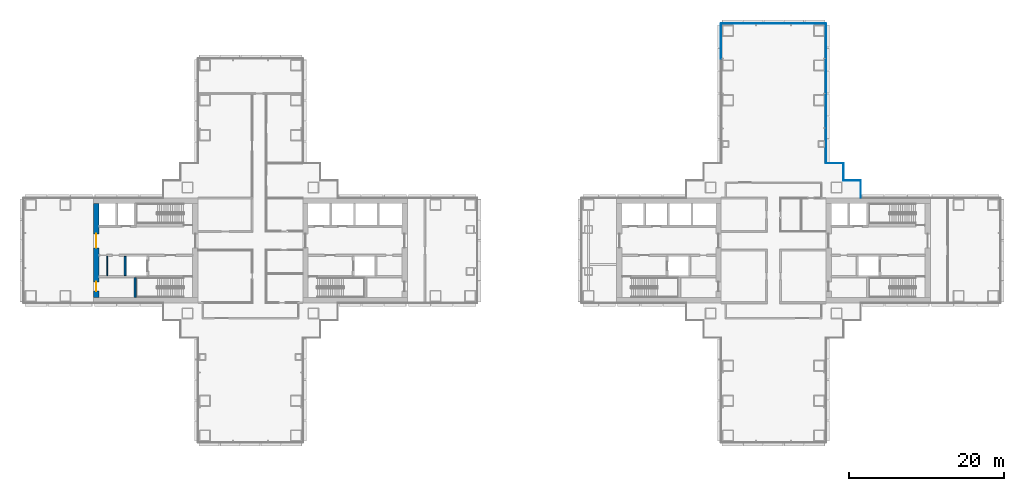
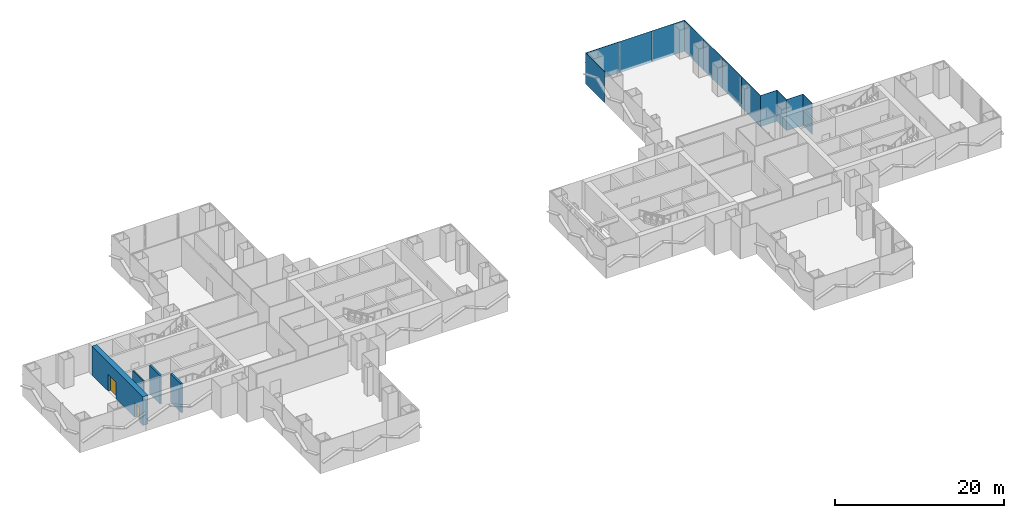
# One storey, part 13 of 22: 12 plates, 4 walls, 2 doors, 2 openings, 4 elements without a shape of their own.
"""IFC4 building model written with IfcOpenShell, lengths in metres."""

from ifc_helpers import new_model, si_unit, direction, frame, frame_2d, origin, origin_2d, place, context, subcontext, project, spatial, rectangle, extrude, material, layer, layer_set, type_object, element, fill, aggregate, save


model = new_model("IFC4")

# Units and contexts
model_context = context("Model", 3, precision=1e-05, world=origin(), true_north=direction((0.0, 1.0)))
body_context = subcontext(model_context, "Body", "Model", "MODEL_VIEW")
ifc_project = project(units=[si_unit("LENGTHUNIT", "METRE"), si_unit("AREAUNIT", "SQUARE_METRE"), si_unit("VOLUMEUNIT", "CUBIC_METRE"), si_unit("PLANEANGLEUNIT", "RADIAN"), si_unit("MASSUNIT", "GRAM", prefix="KILO")], contexts=[model_context])

# Site, building, storey
site_placement = place(None, origin())
site = spatial("IfcSite", under=ifc_project, at=site_placement, CompositionType="ELEMENT")
building_placement = place(site_placement, origin())
building = spatial("IfcBuilding", under=site, at=building_placement, Name="Shamsa Quay Exchange Towers", CompositionType="ELEMENT")
storey_placement = place(building_placement, frame((0.0, 0.0, 37.5)))
storey = spatial("IfcBuildingStorey", under=building, at=storey_placement, Name="L07", CompositionType="ELEMENT", Elevation=37.5)

# Curtain wall, plates
ifc_material_1 = material(Name="Aluminium EN AW-6063 T6, black anodised", Category="aluminium")
ifc_layer_1 = layer(ifc_material_1, 0.280029296875)
ifc_layer_set_1 = layer_set([ifc_layer_1], Name="CW-1 UNITISED VISION GLASS")
curtain_wall_type_1 = type_object("IfcCurtainWallType", Name="CW-1 UNITISED VISION GLASS", PredefinedType="NOTDEFINED", material=ifc_layer_set_1)
curtain_wall_1_placement = place(storey_placement, origin())
curtain_wall_1 = element("IfcCurtainWall", 1, at=curtain_wall_1_placement, inside=storey, type_object=curtain_wall_type_1, Name="CW1 T2-FLK-U+S L07", PredefinedType="NOTDEFINED")
ifc_material_2 = material(Name="Glass, laminated, dark tinted", Category="glass")
ifc_layer_2 = layer(ifc_material_2, 0.0400390625)
ifc_layer_set_2 = layer_set([ifc_layer_2], Name="CW-1 VISION GLASS 40")
plate_type_1 = type_object("IfcPlateType", Name="CW-1 VISION GLASS 40", PredefinedType="CURTAIN_PANEL", material=ifc_layer_set_2)
plate_1_placement = place(storey_placement, frame((40.52001953125, 13.53076171875, -0.35009765625), z_axis=(0.0, 0.0, 1.0), x_axis=(0.0, 1.0, 0.0)))
plate_1 = element("IfcPlate", 2, at=plate_1_placement, type_object=plate_type_1, Name="CW1 glass panel", PredefinedType="CURTAIN_PANEL", context=body_context, shape_type="SweptSolid", body=[
    extrude(rectangle(XDim=4.485595703125, YDim=0.0400390625, at=origin_2d()), origin(), (0.0, 0.0, 1.0), 4.5),
])
plate_2_placement = place(storey_placement, frame((40.52001953125, 18.023681640625, -0.35009765625), z_axis=(0.0, 0.0, 1.0), x_axis=(0.0, 1.0, 0.0)))
plate_2 = element("IfcPlate", 3, at=plate_2_placement, type_object=plate_type_1, Name="CW1 glass panel", PredefinedType="CURTAIN_PANEL", context=body_context, shape_type="SweptSolid", body=[
    extrude(rectangle(XDim=4.48046875, YDim=0.0400390625, at=origin_2d()), origin(), (0.0, 0.0, 1.0), 4.5),
])
plate_3_placement = place(storey_placement, frame((40.52001953125, 22.51416015625, -0.35009765625), z_axis=(0.0, 0.0, 1.0), x_axis=(0.0, 1.0, 0.0)))
plate_3 = element("IfcPlate", 4, at=plate_3_placement, type_object=plate_type_1, Name="CW1 glass panel", PredefinedType="CURTAIN_PANEL", context=body_context, shape_type="SweptSolid", body=[
    extrude(rectangle(XDim=4.48046875, YDim=0.0400390625, at=origin_2d()), origin(), (0.0, 0.0, 1.0), 4.5),
])
plate_4_placement = place(storey_placement, frame((40.52001953125, 27.00732421875, -0.35009765625), z_axis=(0.0, 0.0, 1.0), x_axis=(0.0, 1.0, 0.0)))
plate_4 = element("IfcPlate", 5, at=plate_4_placement, type_object=plate_type_1, Name="CW1 glass panel", PredefinedType="CURTAIN_PANEL", context=body_context, shape_type="SweptSolid", body=[
    extrude(rectangle(XDim=4.485595703125, YDim=0.0400390625, at=origin_2d()), origin(), (0.0, 0.0, 1.0), 4.5),
])
aggregate(curtain_wall_1, [plate_1, plate_2, plate_3, plate_4])

curtain_wall_2_placement = place(storey_placement, origin())
curtain_wall_2 = element("IfcCurtainWall", 6, at=curtain_wall_2_placement, inside=storey, type_object=curtain_wall_type_1, Name="CW1 T2-END-U+ L07", PredefinedType="NOTDEFINED")
plate_5_placement = place(storey_placement, frame((38.25244140625, 29.27001953125, -0.35009765625), z_axis=(0.0, 0.0, 1.0), x_axis=(-1.0, 0.0, 0.0)))
plate_5 = element("IfcPlate", 7, at=plate_5_placement, type_object=plate_type_1, Name="CW1 glass panel", PredefinedType="CURTAIN_PANEL", context=body_context, shape_type="SweptSolid", body=[
    extrude(rectangle(XDim=4.4951171875, YDim=0.0400390625, at=origin_2d()), origin(), (0.0, 0.0, 1.0), 4.5),
])
plate_6_placement = place(storey_placement, frame((33.75, 29.27001953125, -0.35009765625), z_axis=(0.0, 0.0, 1.0), x_axis=(-1.0, 0.0, 0.0)))
plate_6 = element("IfcPlate", 8, at=plate_6_placement, type_object=plate_type_1, Name="CW1 glass panel", PredefinedType="CURTAIN_PANEL", context=body_context, shape_type="SweptSolid", body=[
    extrude(rectangle(XDim=4.489990234375, YDim=0.0400390625, at=origin_2d()), origin(), (0.0, 0.0, 1.0), 4.5),
])
plate_7_placement = place(storey_placement, frame((29.24755859375, 29.27001953125, -0.35009765625), z_axis=(0.0, 0.0, 1.0), x_axis=(-1.0, 0.0, 0.0)))
plate_7 = element("IfcPlate", 9, at=plate_7_placement, type_object=plate_type_1, Name="CW1 glass panel", PredefinedType="CURTAIN_PANEL", context=body_context, shape_type="SweptSolid", body=[
    extrude(rectangle(XDim=4.4951171875, YDim=0.0400390625, at=origin_2d()), origin(), (0.0, 0.0, 1.0), 4.5),
])
aggregate(curtain_wall_2, [plate_5, plate_6, plate_7])

# Curtain wall, plate
curtain_wall_3_placement = place(storey_placement, origin())
curtain_wall_3 = element("IfcCurtainWall", 10, at=curtain_wall_3_placement, inside=storey, type_object=curtain_wall_type_1, Name="CW1 T2-FLK-U+N L07", PredefinedType="NOTDEFINED")
plate_8_placement = place(storey_placement, frame((26.97998046875, 27.00244140625, -0.35009765625), z_axis=(0.0, 0.0, 1.0), x_axis=(0.0, -1.0, 0.0)))
plate_8 = element("IfcPlate", 11, at=plate_8_placement, type_object=plate_type_1, Name="CW1 glass panel", PredefinedType="CURTAIN_PANEL", context=body_context, shape_type="SweptSolid", body=[
    extrude(rectangle(XDim=4.4951171875, YDim=0.0400390625, at=origin_2d()), origin(), (0.0, 0.0, 1.0), 4.5),
])
aggregate(curtain_wall_3, [plate_8])

# Curtain wall, plates
ifc_layer_3 = layer(ifc_material_1, 0.256103515625)
ifc_layer_set_3 = layer_set([ifc_layer_3], Name="CW-4 POCKET SERRATED GLAZING")
curtain_wall_type_2 = type_object("IfcCurtainWallType", Name="CW-4 POCKET SERRATED GLAZING", PredefinedType="NOTDEFINED", material=ifc_layer_set_3)
curtain_wall_4_placement = place(storey_placement, origin())
curtain_wall_4 = element("IfcCurtainWall", 12, at=curtain_wall_4_placement, inside=storey, type_object=curtain_wall_type_2, Name="CW4 PKES L07", PredefinedType="NOTDEFINED")
ifc_layer_4 = layer(ifc_material_2, 0.035888671875)
ifc_layer_set_4 = layer_set([ifc_layer_4], Name="CW-4 POCKET GLASS 36")
plate_type_2 = type_object("IfcPlateType", Name="CW-4 POCKET GLASS 36", PredefinedType="CURTAIN_PANEL", material=ifc_layer_set_4)
plate_9_placement = place(storey_placement, frame((45.01806640625, 7.89794921875, -0.35009765625), z_axis=(0.0, 0.0, 1.0), x_axis=(0.0, 1.0, 0.0)))
plate_9 = element("IfcPlate", 13, at=plate_9_placement, type_object=plate_type_2, Name="CW4 glass panel", PredefinedType="CURTAIN_PANEL", context=body_context, shape_type="SweptSolid", body=[
    extrude(rectangle(XDim=2.2041015625, YDim=0.035888671875, at=origin_2d()), origin(), (0.0, 0.0, 1.0), 4.5),
])
plate_10_placement = place(storey_placement, frame((43.875, 9.01806640625, -0.35009765625), z_axis=(0.0, 0.0, 1.0), x_axis=(-1.0, 0.0, 0.0)))
plate_10 = element("IfcPlate", 14, at=plate_10_placement, type_object=plate_type_2, Name="CW4 glass panel", PredefinedType="CURTAIN_PANEL", context=body_context, shape_type="SweptSolid", body=[
    extrude(rectangle(XDim=2.25, YDim=0.035888671875, at=origin_2d()), origin(), (0.0, 0.0, 1.0), 4.5),
])
plate_11_placement = place(storey_placement, frame((42.76806640625, 10.14404296875, -0.35009765625), z_axis=(0.0, 0.0, 1.0), x_axis=(0.0, 1.0, 0.0)))
plate_11 = element("IfcPlate", 15, at=plate_11_placement, type_object=plate_type_2, Name="CW4 glass panel", PredefinedType="CURTAIN_PANEL", context=body_context, shape_type="SweptSolid", body=[
    extrude(rectangle(XDim=2.2119140625, YDim=0.035888671875, at=origin_2d()), origin(), (0.0, 0.0, 1.0), 4.5),
])
plate_12_placement = place(storey_placement, frame((41.625, 11.26806640625, -0.35009765625), z_axis=(0.0, 0.0, 1.0), x_axis=(-1.0, 0.0, 0.0)))
plate_12 = element("IfcPlate", 16, at=plate_12_placement, type_object=plate_type_2, Name="CW4 glass panel", PredefinedType="CURTAIN_PANEL", context=body_context, shape_type="SweptSolid", body=[
    extrude(rectangle(XDim=2.25, YDim=0.035888671875, at=origin_2d()), origin(), (0.0, 0.0, 1.0), 4.5),
])
aggregate(curtain_wall_4, [plate_9, plate_10, plate_11, plate_12])

# Wall, openings, doors
ifc_material_3 = material(Name="Concrete C80/95", Category="concrete")
ifc_layer_5 = layer(ifc_material_3, 0.699951171875)
ifc_layer_set_5 = layer_set([ifc_layer_5], Name="CORE WALL 700 C80/95")
wall_type_1 = type_object("IfcWallType", Name="CORE WALL 700 C80/95", PredefinedType="SHEAR", material=ifc_layer_set_5)
wall_1_placement = place(storey_placement, frame((-53.64990234375, -6.050048828125, 0.0), z_axis=(0.0, 0.0, 1.0), x_axis=(0.0, 1.0, 0.0)))
wall_1 = element("IfcWall", 17, at=wall_1_placement, inside=storey, type_object=wall_type_1, Name="Core wall T1B-R02-PB", PredefinedType="SHEAR", context=body_context, shape_type="SweptSolid", body=[
    extrude(rectangle(XDim=12.10009765625, YDim=0.699951171875, at=frame_2d((6.050048828125, 0.0))), origin(), (0.0, 0.0, 1.0), 4.14990234375),
])
opening_1_placement = place(wall_1_placement, frame((0.800048828125, 0.0, 0.0)))
opening_1 = element("IfcOpeningElement", 18, at=opening_1_placement, cuts=wall_1, Name="Opening T1B-R02-RD02", PredefinedType="OPENING", context=body_context, shape_type="SweptSolid", body=[
    extrude(rectangle(XDim=1.199951171875, YDim=2.10009765625, at=frame_2d((0.60009765625, 1.050048828125))), frame((0.0, 0.35986328125, 0.0), z_axis=(0.0, -1.0, 0.0), x_axis=(1.0, 0.0, 0.0)), (0.0, 0.0, 1.0), 0.719970703125),
])
opening_2_placement = place(wall_1_placement, frame((6.39990234375, 0.0, 0.0)))
opening_2 = element("IfcOpeningElement", 19, at=opening_2_placement, cuts=wall_1, Name="Opening T1B-R02-LBD03", PredefinedType="OPENING", context=body_context, shape_type="SweptSolid", body=[
    extrude(rectangle(XDim=1.800048828125, YDim=2.39990234375, at=frame_2d((0.89990234375, 1.199951171875))), frame((0.0, 0.35986328125, 0.0), z_axis=(0.0, -1.0, 0.0), x_axis=(1.0, 0.0, 0.0)), (0.0, 0.0, 1.0), 0.719970703125),
])
ifc_material_4 = material(Name="Steel, fire rated", Category="steel")
door_type_1 = type_object("IfcDoorType", Name="LIFT LOBBY DOOR PAIR 1800", OperationType="DOUBLE_DOOR_SINGLE_SWING", PredefinedType="DOOR", material=ifc_material_4)
door_1_placement = place(opening_2_placement, origin())
door_1 = element("IfcDoor", 20, at=door_1_placement, inside=storey, type_object=door_type_1, Name="T1B-R02-LBD03", OperationType="DOUBLE_DOOR_SINGLE_SWING", OverallHeight=2.39990234375, OverallWidth=1.800048828125, PredefinedType="DOOR", context=body_context, shape_type="SweptSolid", body=[
    extrude(rectangle(XDim=1.800048828125, YDim=2.39990234375, at=frame_2d((0.89990234375, 1.199951171875))), frame((0.0, 0.02490234375, 0.0), z_axis=(0.0, -1.0, 0.0), x_axis=(1.0, 0.0, 0.0)), (0.0, 0.0, 1.0), 0.050048828125),
])
fill(opening_2, door_1)
door_type_2 = type_object("IfcDoorType", Name="RISER ACCESS DOOR 1200", OperationType="SINGLE_SWING_LEFT", PredefinedType="DOOR", material=ifc_material_4)
door_2_placement = place(opening_1_placement, origin())
door_2 = element("IfcDoor", 21, at=door_2_placement, inside=storey, type_object=door_type_2, Name="T1B-R02-RD02", OperationType="SINGLE_SWING_LEFT", OverallHeight=2.10009765625, OverallWidth=1.199951171875, PredefinedType="DOOR", context=body_context, shape_type="SweptSolid", body=[
    extrude(rectangle(XDim=1.199951171875, YDim=2.10009765625, at=frame_2d((0.60009765625, 1.050048828125))), frame((0.0, 0.02490234375, 0.0), z_axis=(0.0, -1.0, 0.0), x_axis=(1.0, 0.0, 0.0)), (0.0, 0.0, 1.0), 0.050048828125),
])
fill(opening_1, door_2)

# Walls
ifc_material_5 = material(Name="Gypsum board on steel studs, EI 60", Category="steel")
ifc_layer_6 = layer(ifc_material_5, 0.14990234375)
ifc_layer_set_6 = layer_set([ifc_layer_6], Name="FIRE PARTITION 150")
wall_type_2 = type_object("IfcWallType", Name="FIRE PARTITION 150", PredefinedType="PARTITIONING", material=ifc_layer_set_6)
wall_2_placement = place(storey_placement, frame((-52.25, -3.25, 0.0), z_axis=(0.0, 0.0, 1.0), x_axis=(0.0, 1.0, 0.0)))
element("IfcWall", 22, at=wall_2_placement, inside=storey, type_object=wall_type_2, Name="Partition T1B-R02-EC0", PredefinedType="PARTITIONING", context=body_context, shape_type="SweptSolid", body=[
    extrude(rectangle(XDim=2.5, YDim=0.14990234375, at=frame_2d((1.25, 0.0))), origin(), (0.0, 0.0, 1.0), 4.14990234375),
])
ifc_material_6 = material(Name="Concrete C50/60", Category="concrete")
ifc_layer_7 = layer(ifc_material_6, 0.25)
ifc_layer_set_7 = layer_set([ifc_layer_7], Name="SHAFT WALL 250 C50/60")
wall_type_3 = type_object("IfcWallType", Name="SHAFT WALL 250 C50/60", PredefinedType="SHEAR", material=ifc_layer_set_7)
wall_3_placement = place(storey_placement, frame((-48.625, -6.050048828125, 0.0), z_axis=(0.0, 0.0, 1.0), x_axis=(0.0, 1.0, 0.0)))
element("IfcWall", 23, at=wall_3_placement, inside=storey, type_object=wall_type_3, Name="Shaft wall T1B-R02-STF", PredefinedType="SHEAR", context=body_context, shape_type="SweptSolid", body=[
    extrude(rectangle(XDim=2.550048828125, YDim=0.25, at=frame_2d((1.27490234375, 0.0))), origin(), (0.0, 0.0, 1.0), 4.14990234375),
])
wall_4_placement = place(storey_placement, frame((-49.925048828125, -3.25, 0.0), z_axis=(0.0, 0.0, 1.0), x_axis=(0.0, 1.0, 0.0)))
element("IfcWall", 24, at=wall_4_placement, inside=storey, type_object=wall_type_3, Name="Shaft wall T1B-R02-FFB", PredefinedType="SHEAR", context=body_context, shape_type="SweptSolid", body=[
    extrude(rectangle(XDim=2.5, YDim=0.25, at=frame_2d((1.25, 0.0))), origin(), (0.0, 0.0, 1.0), 4.14990234375),
])

save(model, "model.ifc")
